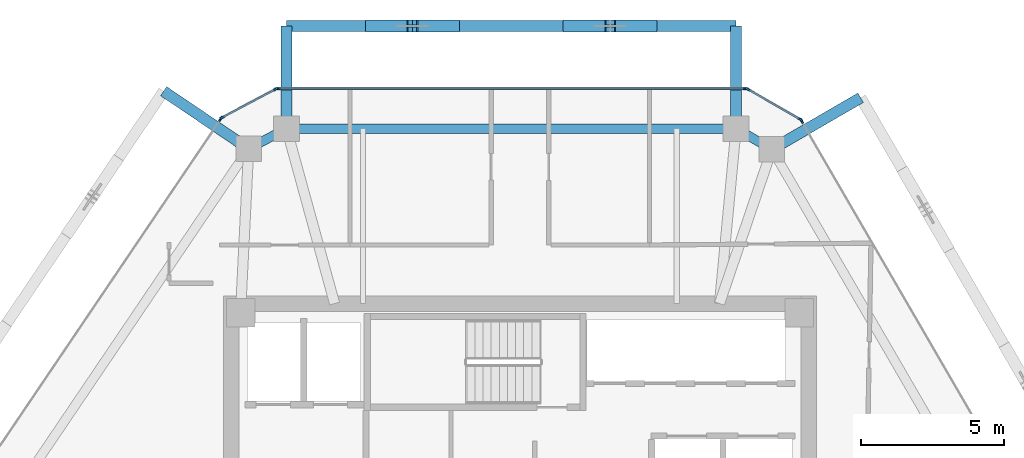
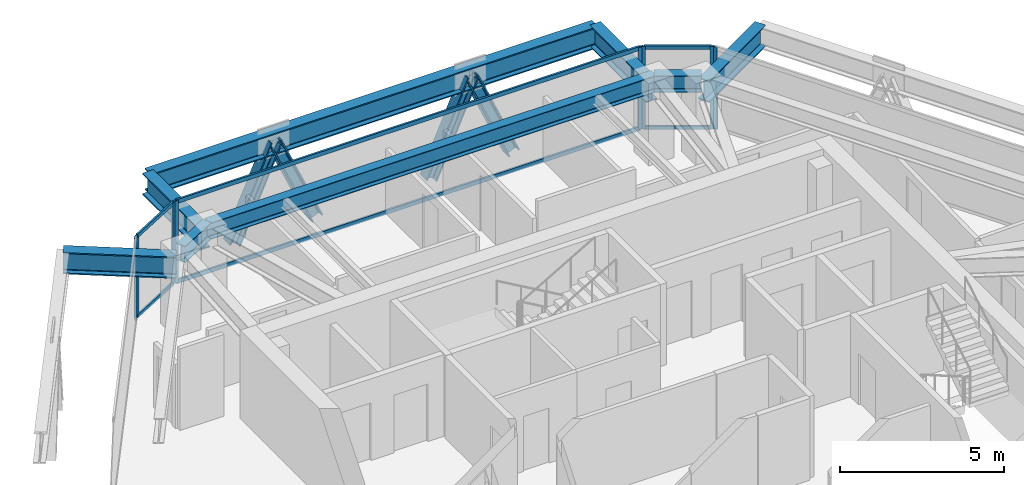
# One storey, part 6 of 13: 18 members, 8 beams, 5 elements without a shape of their own.
"""IFC4 building model written with IfcOpenShell, lengths in metres."""

from ifc_helpers import new_model, si_unit, direction, frame, origin, origin_2d, place, context, subcontext, project, spatial, rectangle, i_section, extrude, source, transform, mapped, material, layer, layer_set, material_profile, profile_set, type_object, type_shapes, element, aggregate, save


model = new_model("IFC4")

# Units and contexts
model_context = context("Model", 3, precision=1e-05, world=origin(), true_north=direction((0.0, 1.0)))
body_context = subcontext(model_context, "Body", "Model", "MODEL_VIEW")
ifc_project = project(units=[si_unit("LENGTHUNIT", "METRE"), si_unit("AREAUNIT", "SQUARE_METRE"), si_unit("VOLUMEUNIT", "CUBIC_METRE"), si_unit("PLANEANGLEUNIT", "RADIAN"), si_unit("MASSUNIT", "GRAM", prefix="KILO")], contexts=[model_context])

# Site, building, storey
site_placement = place(None, origin())
site = spatial("IfcSite", under=ifc_project, at=site_placement, CompositionType="ELEMENT")
building_placement = place(site_placement, origin())
building = spatial("IfcBuilding", under=site, at=building_placement, Name="Durnholm Broadcast Tower", CompositionType="ELEMENT")
storey_placement = place(building_placement, frame((0.0, 0.0, 228.199951171875)))
storey = spatial("IfcBuildingStorey", under=building, at=storey_placement, Name="L63", CompositionType="ELEMENT", Elevation=228.199951171875)

# Beams
ifc_material_1 = material(Name="Steel ASTM A992 Grade 50", Category="steel")
ifc_material_profile_1 = material_profile(ifc_material_1, i_section(OverallWidth=0.385009765625, OverallDepth=0.802978515625, WebThickness=0.023681640625, FlangeThickness=0.0419921875, FilletRadius=0.032958984375, at=origin_2d()), Name="W30X261")
ifc_profile_set_1 = profile_set([ifc_material_profile_1], Name="Steel ASTM A992 Grade 50")
beam_type_1 = type_object("IfcBeamType", Name="BM-EXO-TIE", PredefinedType="USERDEFINED", material=ifc_profile_set_1)
shared_shape_1 = source(origin(), body_context, "Body", "SweptSolid", [
    extrude(i_section(OverallWidth=0.385009765625, OverallDepth=0.802978515625, WebThickness=0.023681640625, FlangeThickness=0.0419921875, FilletRadius=0.032958984375, at=origin_2d()), origin(), (0.0, 0.0, 1.0), 3.4560546875),
])
for number, where, z_axis, x_axis, name in (
    (1, (7.57958984375, 14.406005859375, 2.30859375), (0.0, 1.0, 0.0), (-1.0, 0.0, 0.0), "L63 exoskeleton stand-off tie bracket F4.1"),
    (2, (-8.187744140625, 14.406005859375, 2.30859375), (0.0, 1.0, 0.0), (-1.0, 0.0, 0.0), "L63 exoskeleton stand-off tie bracket F4.2"),
):
    element("IfcBeam", number, at=place(storey_placement, frame(where, z_axis=z_axis, x_axis=x_axis)), inside=storey, type_object=beam_type_1, Name=name, ObjectType="GIRDER", PredefinedType="USERDEFINED", context=body_context, shape_type="MappedRepresentation", body=[
        mapped(shared_shape_1, transform((0.0, 0.0, 0.0), x_axis=(1.0, 0.0, 0.0), y_axis=(0.0, 1.0, 0.0), z_axis=(0.0, 0.0, 1.0), scale=1.0)),
    ])
shared_shape_2 = source(origin(), body_context, "Body", "SweptSolid", [
    extrude(i_section(OverallWidth=0.385009765625, OverallDepth=0.802978515625, WebThickness=0.023681640625, FlangeThickness=0.0419921875, FilletRadius=0.032958984375, at=origin_2d()), origin(), (0.0, 0.0, 1.0), 3.455810546875),
])
for number, where, z_axis, x_axis, name in (
    (3, (8.9619140625, 13.610107421875, 2.30859375), (0.864906682814, 0.501932694715, 0.0), (-0.501932694715, 0.864906682814, 0.0), "L63 exoskeleton stand-off tie bracket F3.2"),
    (4, (-9.63427734375, 13.637939453125, 2.30859375), (-0.828446342252, 0.560068440469, 0.0), (-0.560068440469, -0.828446342252, 0.0), "L63 exoskeleton stand-off tie bracket F5.1"),
):
    element("IfcBeam", number, at=place(storey_placement, frame(where, z_axis=z_axis, x_axis=x_axis)), inside=storey, type_object=beam_type_1, Name=name, ObjectType="GIRDER", PredefinedType="USERDEFINED", context=body_context, shape_type="MappedRepresentation", body=[
        mapped(shared_shape_2, transform((0.0, 0.0, 0.0), x_axis=(1.0, 0.0, 0.0), y_axis=(0.0, 1.0, 0.0), z_axis=(0.0, 0.0, 1.0), scale=1.0)),
    ])
ifc_material_profile_2 = material_profile(ifc_material_1, i_section(OverallWidth=0.3251953125, OverallDepth=0.6162109375, WebThickness=0.013916015625, FlangeThickness=0.021484375, FilletRadius=0.02783203125, at=origin_2d()), Name="W24X117")
ifc_profile_set_2 = profile_set([ifc_material_profile_2], Name="Steel ASTM A992 Grade 50")
beam_type_2 = type_object("IfcBeamType", Name="STL-SP-W24X117", PredefinedType="SPANDREL", material=ifc_profile_set_2)
shared_shape_3 = source(origin(), body_context, "Body", "SweptSolid", [
    extrude(i_section(OverallWidth=0.3251953125, OverallDepth=0.6162109375, WebThickness=0.013916015625, FlangeThickness=0.021484375, FilletRadius=0.02783203125, at=origin_2d()), origin(), (0.0, 0.0, 1.0), 1.502685546875),
])
beam_1_placement = place(storey_placement, frame((-9.514892578125, 13.557373046875, 2.737060546875), z_axis=(0.883241909673, 0.468917614296, 0.0), x_axis=(-0.468917614296, 0.883241909673, 0.0)))
element("IfcBeam", 5, at=beam_1_placement, inside=storey, type_object=beam_type_2, Name="L63 perimeter spandrel girder 04", PredefinedType="SPANDREL", context=body_context, shape_type="MappedRepresentation", body=[
    mapped(shared_shape_3, transform((0.0, 0.0, 0.0), x_axis=(1.0, 0.0, 0.0), y_axis=(0.0, 1.0, 0.0), z_axis=(0.0, 0.0, 1.0), scale=1.0)),
])
shared_shape_4 = source(origin(), body_context, "Body", "SweptSolid", [
    extrude(i_section(OverallWidth=0.3251953125, OverallDepth=0.6162109375, WebThickness=0.013916015625, FlangeThickness=0.021484375, FilletRadius=0.02783203125, at=origin_2d()), origin(), (0.0, 0.0, 1.0), 15.767333984375),
])
beam_2_placement = place(storey_placement, frame((-8.187744140625, 14.261962890625, 2.737060546875), z_axis=(1.0, 0.0, 0.0), x_axis=(0.0, 1.0, 0.0)))
element("IfcBeam", 6, at=beam_2_placement, inside=storey, type_object=beam_type_2, Name="L63 perimeter spandrel girder 05", PredefinedType="SPANDREL", context=body_context, shape_type="MappedRepresentation", body=[
    mapped(shared_shape_4, transform((0.0, 0.0, 0.0), x_axis=(1.0, 0.0, 0.0), y_axis=(0.0, 1.0, 0.0), z_axis=(0.0, 0.0, 1.0), scale=1.0)),
])
shared_shape_5 = source(origin(), body_context, "Body", "SweptSolid", [
    extrude(i_section(OverallWidth=0.3251953125, OverallDepth=0.6162109375, WebThickness=0.013916015625, FlangeThickness=0.021484375, FilletRadius=0.02783203125, at=origin_2d()), origin(), (0.0, 0.0, 1.0), 1.451416015625),
])
type_shapes(beam_type_2, [shared_shape_3, shared_shape_4, shared_shape_5])
beam_3_placement = place(storey_placement, frame((7.57958984375, 14.261962890625, 2.737060546875), z_axis=(0.866571760088, -0.499052486836, 0.0), x_axis=(0.499052486836, 0.866571760088, 0.0)))
element("IfcBeam", 7, at=beam_3_placement, inside=storey, type_object=beam_type_2, Name="L63 perimeter spandrel girder 06", PredefinedType="SPANDREL", context=body_context, shape_type="MappedRepresentation", body=[
    mapped(shared_shape_5, transform((0.0, 0.0, 0.0), x_axis=(1.0, 0.0, 0.0), y_axis=(0.0, 1.0, 0.0), z_axis=(0.0, 0.0, 1.0), scale=1.0)),
])
shared_shape_6 = source(origin(), body_context, "Body", "SweptSolid", [
    extrude(i_section(OverallWidth=0.385009765625, OverallDepth=0.802978515625, WebThickness=0.023681640625, FlangeThickness=0.0419921875, FilletRadius=0.032958984375, at=origin_2d()), origin(), (0.0, 0.0, 1.0), 15.767333984375),
])
type_shapes(beam_type_1, [shared_shape_1, shared_shape_2, shared_shape_6])
beam_4_placement = place(storey_placement, frame((7.57958984375, 17.862060546875, 2.30859375), z_axis=(-1.0, 0.0, 0.0), x_axis=(0.0, -1.0, 0.0)))
element("IfcBeam", 8, at=beam_4_placement, inside=storey, type_object=beam_type_1, Name="L63 exoskeleton collector spandrel F4", PredefinedType="SPANDREL", context=body_context, shape_type="MappedRepresentation", body=[
    mapped(shared_shape_6, transform((0.0, 0.0, 0.0), x_axis=(1.0, 0.0, 0.0), y_axis=(0.0, 1.0, 0.0), z_axis=(0.0, 0.0, 1.0), scale=1.0)),
])

# Members
ifc_material_2 = material(Name="Steel ASTM A913 Grade 65", Category="steel")
ifc_material_profile_3 = material_profile(ifc_material_2, i_section(OverallWidth=0.40625, OverallDepth=0.416015625, WebThickness=0.02978515625, FlangeThickness=0.048095703125, FilletRadius=0.030517578125, at=origin_2d()), Name="W14X257")
ifc_profile_set_3 = profile_set([ifc_material_profile_3], Name="Steel ASTM A913 Grade 65")
member_type_1 = type_object("IfcMemberType", Name="STL-DG-W14X257", PredefinedType="BRACE", material=ifc_profile_set_3)
shared_shape_7 = source(origin(), body_context, "Body", "SweptSolid", [
    extrude(i_section(OverallWidth=0.40625, OverallDepth=0.416015625, WebThickness=0.02978515625, FlangeThickness=0.048095703125, FilletRadius=0.030517578125, at=origin_2d()), origin(), (0.0, 0.0, 1.0), 3.60791015625),
])
for number, where, z_axis, x_axis, name in (
    (9, (4.623046875, 17.862060546875, -0.991455078125), (-0.404184914295, 0.0, 0.914677295584), (0.0, -1.0, 0.0), "L63 stand-off diagrid brace F4.D1.1"),
    (10, (1.70654296875, 17.862060546875, -0.991455078125), (0.404184914295, 0.0, 0.914677295584), (0.0, 1.0, 0.0), "L63 stand-off diagrid brace F4.D1.2"),
    (11, (-5.23095703125, 17.862060546875, -0.991455078125), (0.404184914295, 0.0, 0.914677295584), (0.0, 1.0, 0.0), "L63 stand-off diagrid brace F4.D2.2"),
):
    element("IfcMember", number, at=place(storey_placement, frame(where, z_axis=z_axis, x_axis=x_axis)), inside=storey, type_object=member_type_1, Name=name, PredefinedType="BRACE", context=body_context, shape_type="MappedRepresentation", body=[
        mapped(shared_shape_7, transform((0.0, 0.0, 0.0), x_axis=(1.0, 0.0, 0.0), y_axis=(0.0, 1.0, 0.0), z_axis=(0.0, 0.0, 1.0), scale=1.0)),
    ])
shared_shape_8 = source(origin(), body_context, "Body", "SweptSolid", [
    extrude(i_section(OverallWidth=0.40625, OverallDepth=0.416015625, WebThickness=0.02978515625, FlangeThickness=0.048095703125, FilletRadius=0.030517578125, at=origin_2d()), origin(), (0.0, 0.0, 1.0), 3.607666015625),
])
type_shapes(member_type_1, [shared_shape_7, shared_shape_8])
member_1_placement = place(storey_placement, frame((-2.314697265625, 17.862060546875, -0.991455078125), z_axis=(-0.404128298032, 0.0, 0.914702311536), x_axis=(0.0, -1.0, 0.0)))
element("IfcMember", 12, at=member_1_placement, inside=storey, type_object=member_type_1, Name="L63 stand-off diagrid brace F4.D2.1", PredefinedType="BRACE", context=body_context, shape_type="MappedRepresentation", body=[
    mapped(shared_shape_8, transform((0.0, 0.0, 0.0), x_axis=(1.0, 0.0, 0.0), y_axis=(0.0, 1.0, 0.0), z_axis=(0.0, 0.0, 1.0), scale=1.0)),
])

# Curtain wall, members
ifc_material_3 = material(Name="Aluminium and Solar Control IGU", Category="aluminium")
ifc_layer_1 = layer(ifc_material_3, 0.1650390625)
ifc_layer_set_1 = layer_set([ifc_layer_1], Name="Aluminium and Solar Control IGU")
curtain_wall_type_1 = type_object("IfcCurtainWallType", Name="CW-SYS-5", PredefinedType="NOTDEFINED", material=ifc_layer_set_1)
curtain_wall_1_placement = place(storey_placement, origin())
curtain_wall_1 = element("IfcCurtainWall", 13, at=curtain_wall_1_placement, inside=storey, type_object=curtain_wall_type_1, Name="L63 curtain wall CW-CORNER CW-L63-CRN-03", PredefinedType="NOTDEFINED")
ifc_material_4 = material(Name="Aluminium 6063-T6", Category="aluminium")
ifc_material_profile_4 = material_profile(ifc_material_4, rectangle(XDim=0.06494140625, YDim=0.1298828125, at=origin_2d()), Name="CWT65X130")
ifc_profile_set_4 = profile_set([ifc_material_profile_4], Name="Aluminium 6063-T6")
member_type_2 = type_object("IfcMemberType", Name="CW-SYS-5-TRN", PredefinedType="USERDEFINED", material=ifc_profile_set_4)
shared_shape_9 = source(origin(), body_context, "Body", "SweptSolid", [
    extrude(rectangle(XDim=0.06494140625, YDim=0.1298828125, at=origin_2d()), origin(), (0.0, 0.0, 1.0), 2.070068359375),
])
type_shapes(member_type_2, [shared_shape_9])
member_2_placement = place(storey_placement, frame((-10.421875, 14.66064453125, 0.032470703125), z_axis=(0.883164581026, 0.469063239682, 0.0), x_axis=(-0.469063239682, 0.883164581026, 0.0)))
member_2 = element("IfcMember", 14, at=member_2_placement, type_object=member_type_2, Name="CW-CORNER transom 1.1", ObjectType="TRANSOM", PredefinedType="USERDEFINED", context=body_context, shape_type="MappedRepresentation", body=[
    mapped(shared_shape_9, transform((0.0, 0.0, 0.0), x_axis=(1.0, 0.0, 0.0), y_axis=(0.0, 1.0, 0.0), z_axis=(0.0, 0.0, 1.0), scale=1.0)),
])
member_3_placement = place(storey_placement, frame((-10.421875, 14.66064453125, 3.027587890625), z_axis=(0.883164581026, 0.469063239682, 0.0), x_axis=(-0.469063239682, 0.883164581026, 0.0)))
member_3 = element("IfcMember", 15, at=member_3_placement, type_object=member_type_2, Name="CW-CORNER transom 1.2", ObjectType="TRANSOM", PredefinedType="USERDEFINED", context=body_context, shape_type="MappedRepresentation", body=[
    mapped(shared_shape_9, transform((0.0, 0.0, 0.0), x_axis=(1.0, 0.0, 0.0), y_axis=(0.0, 1.0, 0.0), z_axis=(0.0, 0.0, 1.0), scale=1.0)),
])

curtain_wall_2_placement = place(storey_placement, origin())
curtain_wall_2 = element("IfcCurtainWall", 16, at=curtain_wall_2_placement, inside=storey, type_object=curtain_wall_type_1, Name="L63 curtain wall CW-CORNER CW-L63-CRN-05", PredefinedType="NOTDEFINED")
member_4_placement = place(storey_placement, frame((8.01025390625, 15.629638671875, 0.032470703125), z_axis=(0.866525076636, -0.499133540809, 0.0), x_axis=(0.499133540809, 0.866525076636, 0.0)))
member_4 = element("IfcMember", 17, at=member_4_placement, type_object=member_type_2, Name="CW-CORNER transom 1.1", ObjectType="TRANSOM", PredefinedType="USERDEFINED", context=body_context, shape_type="MappedRepresentation", body=[
    mapped(shared_shape_9, transform((0.0, 0.0, 0.0), x_axis=(1.0, 0.0, 0.0), y_axis=(0.0, 1.0, 0.0), z_axis=(0.0, 0.0, 1.0), scale=1.0)),
])
member_5_placement = place(storey_placement, frame((8.01025390625, 15.629638671875, 3.027587890625), z_axis=(0.866525076636, -0.499133540809, 0.0), x_axis=(0.499133540809, 0.866525076636, 0.0)))
member_5 = element("IfcMember", 18, at=member_5_placement, type_object=member_type_2, Name="CW-CORNER transom 1.2", ObjectType="TRANSOM", PredefinedType="USERDEFINED", context=body_context, shape_type="MappedRepresentation", body=[
    mapped(shared_shape_9, transform((0.0, 0.0, 0.0), x_axis=(1.0, 0.0, 0.0), y_axis=(0.0, 1.0, 0.0), z_axis=(0.0, 0.0, 1.0), scale=1.0)),
])

# Member
ifc_material_profile_5 = material_profile(ifc_material_4, rectangle(XDim=0.06494140625, YDim=0.1650390625, at=origin_2d()), Name="CWM65X165")
ifc_profile_set_5 = profile_set([ifc_material_profile_5], Name="Aluminium 6063-T6")
member_type_3 = type_object("IfcMemberType", Name="CW-SYS-5-MUL", PredefinedType="MULLION", material=ifc_profile_set_5)
shared_shape_10 = source(origin(), body_context, "Body", "SweptSolid", [
    extrude(rectangle(XDim=0.06494140625, YDim=0.1650390625, at=origin_2d()), origin(), (0.0, 0.0, 1.0), 3.06005859375),
])
type_shapes(member_type_3, [shared_shape_10])
member_6_placement = place(storey_placement, frame((-10.45068359375, 14.6455078125, 0.0), z_axis=(0.0, 0.0, 1.0), x_axis=(-0.469006771575, 0.883194569853, 0.0)))
member_6 = element("IfcMember", 19, at=member_6_placement, type_object=member_type_3, Name="CW-CORNER mullion 1", PredefinedType="MULLION", context=body_context, shape_type="MappedRepresentation", body=[
    mapped(shared_shape_10, transform((0.0, 0.0, 0.0), x_axis=(1.0, 0.0, 0.0), y_axis=(0.0, 1.0, 0.0), z_axis=(0.0, 0.0, 1.0), scale=1.0)),
])

member_7_placement = place(storey_placement, frame((-8.565185546875, 15.646728515625, 0.0), z_axis=(0.0, 0.0, 1.0), x_axis=(-0.469006771575, 0.883194569853, 0.0)))
member_7 = element("IfcMember", 20, at=member_7_placement, type_object=member_type_3, Name="CW-CORNER mullion 2", PredefinedType="MULLION", context=body_context, shape_type="MappedRepresentation", body=[
    mapped(shared_shape_10, transform((0.0, 0.0, 0.0), x_axis=(1.0, 0.0, 0.0), y_axis=(0.0, 1.0, 0.0), z_axis=(0.0, 0.0, 1.0), scale=1.0)),
])

aggregate(curtain_wall_1, [member_6, member_7, member_2, member_3])

member_8_placement = place(storey_placement, frame((7.982177734375, 15.645751953125, 0.0), z_axis=(0.0, 0.0, 1.0), x_axis=(0.499058582333, 0.866568249707, 0.0)))
member_8 = element("IfcMember", 21, at=member_8_placement, type_object=member_type_3, Name="CW-CORNER mullion 1", PredefinedType="MULLION", context=body_context, shape_type="MappedRepresentation", body=[
    mapped(shared_shape_10, transform((0.0, 0.0, 0.0), x_axis=(1.0, 0.0, 0.0), y_axis=(0.0, 1.0, 0.0), z_axis=(0.0, 0.0, 1.0), scale=1.0)),
])

member_9_placement = place(storey_placement, frame((9.832275390625, 14.580322265625, 0.0), z_axis=(0.0, 0.0, 1.0), x_axis=(0.499058582333, 0.866568249707, 0.0)))
member_9 = element("IfcMember", 22, at=member_9_placement, type_object=member_type_3, Name="CW-CORNER mullion 2", PredefinedType="MULLION", context=body_context, shape_type="MappedRepresentation", body=[
    mapped(shared_shape_10, transform((0.0, 0.0, 0.0), x_axis=(1.0, 0.0, 0.0), y_axis=(0.0, 1.0, 0.0), z_axis=(0.0, 0.0, 1.0), scale=1.0)),
])

aggregate(curtain_wall_2, [member_8, member_9, member_4, member_5])

# Curtain wall, member
ifc_layer_2 = layer(ifc_material_3, 0.18994140625)
ifc_layer_set_2 = layer_set([ifc_layer_2], Name="Aluminium and Solar Control IGU")
curtain_wall_type_2 = type_object("IfcCurtainWallType", Name="CW-SYS-4", PredefinedType="NOTDEFINED", material=ifc_layer_set_2)
curtain_wall_3_placement = place(storey_placement, origin())
curtain_wall_3 = element("IfcCurtainWall", 23, at=curtain_wall_3_placement, inside=storey, type_object=curtain_wall_type_2, Name="L63 curtain wall CW-Z34-VIS CW-L63-F02", PredefinedType="NOTDEFINED")
ifc_material_profile_6 = material_profile(ifc_material_4, rectangle(XDim=0.070068359375, YDim=0.18994140625, at=origin_2d()), Name="CWM70X190")
ifc_profile_set_6 = profile_set([ifc_material_profile_6], Name="Aluminium 6063-T6")
member_type_4 = type_object("IfcMemberType", Name="CW-SYS-4-MUL", PredefinedType="MULLION", material=ifc_profile_set_6)
shared_shape_11 = source(origin(), body_context, "Body", "SweptSolid", [
    extrude(rectangle(XDim=0.070068359375, YDim=0.18994140625, at=origin_2d()), origin(), (0.0, 0.0, 1.0), 3.06005859375),
])
type_shapes(member_type_4, [shared_shape_11])
member_10_placement = place(storey_placement, frame((-10.4990234375, 14.601318359375, 0.0), z_axis=(0.0, 0.0, 1.0), x_axis=(-0.828443431662, 0.560072745753, 0.0)))
member_10 = element("IfcMember", 24, at=member_10_placement, type_object=member_type_4, Name="CW-Z34-VIS mullion 2", PredefinedType="MULLION", context=body_context, shape_type="MappedRepresentation", body=[
    mapped(shared_shape_11, transform((0.0, 0.0, 0.0), x_axis=(1.0, 0.0, 0.0), y_axis=(0.0, 1.0, 0.0), z_axis=(0.0, 0.0, 1.0), scale=1.0)),
])
aggregate(curtain_wall_3, [member_10])

# Curtain wall, members
curtain_wall_4_placement = place(storey_placement, origin())
curtain_wall_4 = element("IfcCurtainWall", 25, at=curtain_wall_4_placement, inside=storey, type_object=curtain_wall_type_2, Name="L63 curtain wall CW-Z34-VIS CW-L63-F04", PredefinedType="NOTDEFINED")
member_11_placement = place(storey_placement, frame((-8.50146484375, 15.662109375, 0.0), z_axis=(0.0, 0.0, 1.0), x_axis=(0.0, 1.0, 0.0)))
member_11 = element("IfcMember", 26, at=member_11_placement, type_object=member_type_4, Name="CW-Z34-VIS mullion 1", PredefinedType="MULLION", context=body_context, shape_type="MappedRepresentation", body=[
    mapped(shared_shape_11, transform((0.0, 0.0, 0.0), x_axis=(1.0, 0.0, 0.0), y_axis=(0.0, 1.0, 0.0), z_axis=(0.0, 0.0, 1.0), scale=1.0)),
])
member_12_placement = place(storey_placement, frame((7.9189453125, 15.662109375, 0.0), z_axis=(0.0, 0.0, 1.0), x_axis=(0.0, 1.0, 0.0)))
member_12 = element("IfcMember", 27, at=member_12_placement, type_object=member_type_4, Name="CW-Z34-VIS mullion 2", PredefinedType="MULLION", context=body_context, shape_type="MappedRepresentation", body=[
    mapped(shared_shape_11, transform((0.0, 0.0, 0.0), x_axis=(1.0, 0.0, 0.0), y_axis=(0.0, 1.0, 0.0), z_axis=(0.0, 0.0, 1.0), scale=1.0)),
])

# Curtain wall, member
curtain_wall_5_placement = place(storey_placement, origin())
curtain_wall_5 = element("IfcCurtainWall", 28, at=curtain_wall_5_placement, inside=storey, type_object=curtain_wall_type_2, Name="L63 curtain wall CW-Z34-VIS CW-L63-F06", PredefinedType="NOTDEFINED")
member_13_placement = place(storey_placement, frame((9.8779296875, 14.533935546875, 0.0), z_axis=(0.0, 0.0, 1.0), x_axis=(0.864899883824, 0.50194441023, 0.0)))
member_13 = element("IfcMember", 29, at=member_13_placement, type_object=member_type_4, Name="CW-Z34-VIS mullion 1", PredefinedType="MULLION", context=body_context, shape_type="MappedRepresentation", body=[
    mapped(shared_shape_11, transform((0.0, 0.0, 0.0), x_axis=(1.0, 0.0, 0.0), y_axis=(0.0, 1.0, 0.0), z_axis=(0.0, 0.0, 1.0), scale=1.0)),
])
aggregate(curtain_wall_5, [member_13])

# Member
ifc_material_profile_7 = material_profile(ifc_material_4, rectangle(XDim=0.070068359375, YDim=0.14990234375, at=origin_2d()), Name="CWT70X150")
ifc_profile_set_7 = profile_set([ifc_material_profile_7], Name="Aluminium 6063-T6")
member_type_5 = type_object("IfcMemberType", Name="CW-SYS-4-TRN", PredefinedType="USERDEFINED", material=ifc_profile_set_7)
shared_shape_12 = source(origin(), body_context, "Body", "SweptSolid", [
    extrude(rectangle(XDim=0.070068359375, YDim=0.14990234375, at=origin_2d()), origin(), (0.0, 0.0, 1.0), 16.350341796875),
])
type_shapes(member_type_5, [shared_shape_12])
member_14_placement = place(storey_placement, frame((-8.46630859375, 15.662109375, 0.03515625), z_axis=(1.0, 0.0, 0.0), x_axis=(0.0, 1.0, 0.0)))
member_14 = element("IfcMember", 30, at=member_14_placement, type_object=member_type_5, Name="CW-Z34-VIS transom 1.1", ObjectType="TRANSOM", PredefinedType="USERDEFINED", context=body_context, shape_type="MappedRepresentation", body=[
    mapped(shared_shape_12, transform((0.0, 0.0, 0.0), x_axis=(1.0, 0.0, 0.0), y_axis=(0.0, 1.0, 0.0), z_axis=(0.0, 0.0, 1.0), scale=1.0)),
])

member_15_placement = place(storey_placement, frame((-8.46630859375, 15.662109375, 3.025146484375), z_axis=(1.0, 0.0, 0.0), x_axis=(0.0, 1.0, 0.0)))
member_15 = element("IfcMember", 31, at=member_15_placement, type_object=member_type_5, Name="CW-Z34-VIS transom 1.2", ObjectType="TRANSOM", PredefinedType="USERDEFINED", context=body_context, shape_type="MappedRepresentation", body=[
    mapped(shared_shape_12, transform((0.0, 0.0, 0.0), x_axis=(1.0, 0.0, 0.0), y_axis=(0.0, 1.0, 0.0), z_axis=(0.0, 0.0, 1.0), scale=1.0)),
])

aggregate(curtain_wall_4, [member_11, member_12, member_14, member_15])

save(model, "model.ifc")
